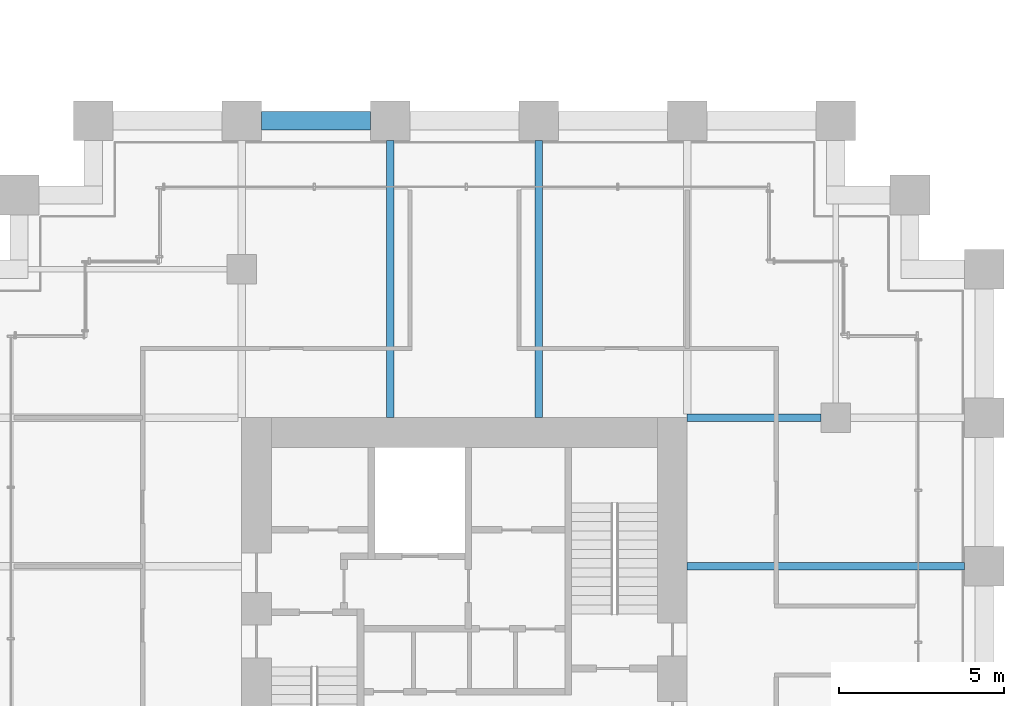
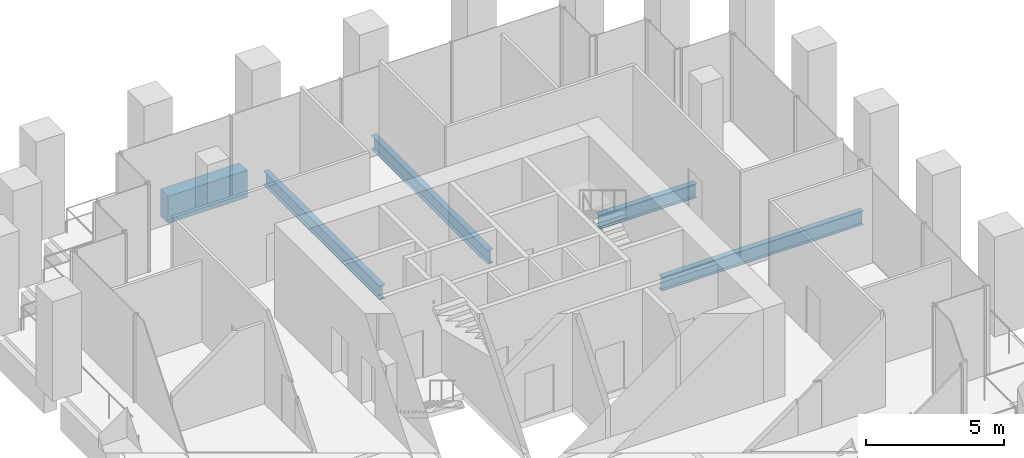
# One storey, part 24 of 36: 5 beams.
"""IFC4 building model written with IfcOpenShell, lengths in metres."""

import ifcopenshell
import ifcopenshell.guid

model = None  # the IFC model being written
_history = None  # IfcOwnerHistory: only IFC2X3 demands one
_inside = {}  # id of a spatial element -> (the spatial element, [elements in it])
_under = {}  # id of a project, library or spatial element -> (it, [spatial elements below it])
_declared = {}  # id of a project -> (the project, [libraries it declares])
_typed = {}  # id of a type object -> (the type object, [elements of that type])
_made_of = {}  # id of a material, layer set ... -> (it, [elements and type objects made of it])


def new_model(schema):
    """Start an empty IFC model of exactly this schema.

    Asked for "IFC4X3", IfcOpenShell would pick the latest addendum, in which some entities
    have other attributes; the version numbers below select the first issue.
    IFC2X3 requires an IfcOwnerHistory on every rooted entity: one is made here for all.
    """
    global model, _history
    if schema == "IFC4X3":
        model = ifcopenshell.file(schema_version=(4, 3, 0, 0))
    else:
        model = ifcopenshell.file(schema=schema)
    _inside.clear()
    _under.clear()
    _declared.clear()
    _typed.clear()
    _made_of.clear()
    _history = None
    if model.schema == "IFC2X3":
        org = make("IfcOrganization", Name="unknown")
        user = make(
            "IfcPersonAndOrganization",
            ThePerson=make("IfcPerson", FamilyName="unknown"),
            TheOrganization=org,
        )
        app = make(
            "IfcApplication",
            ApplicationDeveloper=org,
            Version="unknown",
            ApplicationFullName="unknown",
            ApplicationIdentifier="unknown",
        )
        _history = make(
            "IfcOwnerHistory",
            OwningUser=user,
            OwningApplication=app,
            ChangeAction="ADDED",
            CreationDate=0,
        )
    return model


def make(cls, **values):
    """One entity of the class cls with the attributes given. An attribute that is None is left unset."""
    return model.create_entity(
        cls, **{name: value for name, value in values.items() if value is not None}
    )


def rooted(cls, **values):
    """An entity with a GlobalId (a new one), such as an element, a storey or a relation."""
    return make(cls, GlobalId=ifcopenshell.guid.new(), OwnerHistory=_history, **values)


def si_unit(unit_type, name, prefix=None):
    """IfcSIUnit, for example si_unit("LENGTHUNIT", "METRE", prefix="MILLI")."""
    return make("IfcSIUnit", UnitType=unit_type, Prefix=prefix, Name=name)


def assignment(units):
    """IfcUnitAssignment: the units of a project."""
    return None if units is None else make("IfcUnitAssignment", Units=units)


def point(xyz):
    """IfcCartesianPoint."""
    return None if xyz is None else make("IfcCartesianPoint", Coordinates=xyz)


def direction(xyz):
    """IfcDirection."""
    return None if xyz is None else make("IfcDirection", DirectionRatios=xyz)


def frame(location, z_axis=None, x_axis=None):
    """IfcAxis2Placement3D, a coordinate frame: its origin and axes. An axis left out is left unset."""
    return make(
        "IfcAxis2Placement3D",
        Location=point(location),
        Axis=direction(z_axis),
        RefDirection=direction(x_axis),
    )


def frame_2d(location, x_axis=None):
    """IfcAxis2Placement2D, a coordinate frame in the plane: its origin and x axis."""
    return make(
        "IfcAxis2Placement2D", Location=point(location), RefDirection=direction(x_axis)
    )


def origin():
    """The frame at (0, 0, 0) with its axes left unset."""
    return frame((0.0, 0.0, 0.0))


def origin_2d():
    """The frame at (0, 0) in the plane with its x axis left unset."""
    return frame_2d((0.0, 0.0))


def place(relative_to, where):
    """IfcLocalPlacement: puts the frame where relative to a parent placement (None: the world)."""
    return make(
        "IfcLocalPlacement", PlacementRelTo=relative_to, RelativePlacement=where
    )


def context(
    kind, dimensions, precision=None, world=None, true_north=None, identifier=None
):
    """IfcGeometricRepresentationContext, for example the 3D "Model" context."""
    return make(
        "IfcGeometricRepresentationContext",
        ContextIdentifier=identifier,
        ContextType=kind,
        CoordinateSpaceDimension=dimensions,
        Precision=precision,
        WorldCoordinateSystem=world,
        TrueNorth=true_north,
    )


def subcontext(parent, identifier, kind, view, scale=None):
    """IfcGeometricRepresentationSubContext, for example "Body" below "Model"."""
    return make(
        "IfcGeometricRepresentationSubContext",
        ContextIdentifier=identifier,
        ContextType=kind,
        ParentContext=parent,
        TargetScale=scale,
        TargetView=view,
    )


def project(units=None, contexts=None):
    """IfcProject with its units and contexts."""
    return rooted(
        "IfcProject",
        Name="project",
        RepresentationContexts=contexts,
        UnitsInContext=assignment(units),
    )


def spatial(cls, under=None, at=None, **own):
    """A site, building, storey or space (cls), placed at a placement, below another one or the project."""
    s = rooted(cls, ObjectPlacement=at, **own)
    if under is not None:
        _under.setdefault(under.id(), (under, []))[1].append(s)
    return s


def profile(cls, at=None, kind="AREA", **sizes):
    """A parametric profile (cls). Its sizes go by their IFC names, for example OverallWidth=200.0."""
    return make(cls, ProfileType=kind, Position=at, **sizes)


def rectangle(**sizes):
    """IfcRectangleProfileDef."""
    return profile("IfcRectangleProfileDef", **sizes)


def i_section(**sizes):
    """IfcIShapeProfileDef."""
    return profile("IfcIShapeProfileDef", **sizes)


def extrude(swept, where, along, depth):
    """IfcExtrudedAreaSolid: the profile swept, set in the frame where, extruded along a direction by depth."""
    return make(
        "IfcExtrudedAreaSolid",
        SweptArea=swept,
        Position=where,
        ExtrudedDirection=direction(along),
        Depth=depth,
    )


def shape(context_of_items, identifier, shape_type, items):
    """IfcShapeRepresentation: the items that make up one representation, for example the "Body"."""
    return make(
        "IfcShapeRepresentation",
        ContextOfItems=context_of_items,
        RepresentationIdentifier=identifier,
        RepresentationType=shape_type,
        Items=items,
    )


def material(Name=None, Category=None):
    """IfcMaterial."""
    return make("IfcMaterial", Name=Name, Category=Category)


def material_profile(
    of_material, cross_section, Name=None, Category=None, Priority=None
):
    """IfcMaterialProfile: a cross section and its material."""
    return make(
        "IfcMaterialProfile",
        Name=Name,
        Material=of_material,
        Profile=cross_section,
        Priority=Priority,
        Category=Category,
    )


def profile_set(profiles, Name=None, composite=None):
    """IfcMaterialProfileSet."""
    return make(
        "IfcMaterialProfileSet",
        Name=Name,
        MaterialProfiles=profiles,
        CompositeProfile=composite,
    )


def made_of(thing, what):
    """Note that an element or type object is made of a material, layer set ...; save() writes the relation."""
    if what is not None:
        _made_of.setdefault(what.id(), (what, []))[1].append(thing)
    return thing


def type_object(cls, material=None, **own):
    """A type object (cls), such as IfcWallType, which elements share."""
    return made_of(rooted(cls, **own), material)


def element(
    cls,
    number,
    at=None,
    inside=None,
    cuts=None,
    type_object=None,
    material=None,
    context=None,
    identifier="Body",
    shape_type=None,
    held_by="IfcProductDefinitionShape",
    body=None,
    shapes=None,
    **own,
):
    """One element of the class cls, such as IfcWall. Its Tag is "e" and its number.

    at: its placement. inside: the storey or other place that contains it. cuts: it is an
    opening in that element (IfcRelVoidsElement). A single representation is given by context,
    identifier, shape_type and body (its items); several are given by shapes. held_by: the class
    of the entity that holds the representations. save() writes the other relations.
    """
    e = rooted(cls, Tag="e%d" % number, ObjectPlacement=at, **own)
    if body is not None:
        shapes = [shape(context, identifier, shape_type, body)]
    if shapes is not None:
        e.Representation = make(held_by, Representations=shapes)
    if inside is not None:
        _inside.setdefault(inside.id(), (inside, []))[1].append(e)
    if cuts is not None:
        rooted(
            "IfcRelVoidsElement", RelatingBuildingElement=cuts, RelatedOpeningElement=e
        )
    if type_object is not None:
        _typed.setdefault(type_object.id(), (type_object, []))[1].append(e)
    return made_of(e, material)


def aggregate(whole, parts):
    """IfcRelAggregates: a whole, such as a stair, and the parts it consists of."""
    return rooted("IfcRelAggregates", RelatingObject=whole, RelatedObjects=parts)


def save(model, path):
    """Write the relations noted so far, then the file.

    IfcRelAggregates (storeys below a building ...), IfcRelContainedInSpatialStructure (elements
    in a storey), IfcRelDefinesByType, IfcRelAssociatesMaterial and IfcRelDeclares: one each for
    every whole, place, type object, material and project.
    """
    for whole, parts in _under.values():
        aggregate(whole, parts)
    for where, things in _inside.values():
        rooted(
            "IfcRelContainedInSpatialStructure",
            RelatedElements=things,
            RelatingStructure=where,
        )
    for kind, things in _typed.values():
        rooted("IfcRelDefinesByType", RelatedObjects=things, RelatingType=kind)
    for what, things in _made_of.values():
        rooted("IfcRelAssociatesMaterial", RelatedObjects=things, RelatingMaterial=what)
    for by, libraries in _declared.values():
        rooted("IfcRelDeclares", RelatingContext=by, RelatedDefinitions=libraries)
    model.write(path)


model = new_model("IFC4")

# Units and contexts
model_context = context("Model", 3, precision=1e-05, world=origin(), true_north=direction((0.0, 1.0)))
body_context = subcontext(model_context, "Body", "Model", "MODEL_VIEW")
ifc_project = project(units=[si_unit("LENGTHUNIT", "METRE"), si_unit("AREAUNIT", "SQUARE_METRE"), si_unit("VOLUMEUNIT", "CUBIC_METRE"), si_unit("PLANEANGLEUNIT", "RADIAN"), si_unit("MASSUNIT", "GRAM", prefix="KILO")], contexts=[model_context])

# Site, building, storey
site_placement = place(None, origin())
site = spatial("IfcSite", under=ifc_project, at=site_placement, CompositionType="ELEMENT")
building_placement = place(site_placement, origin())
building = spatial("IfcBuilding", under=site, at=building_placement, Name="Altepetl Exchange Towers", CompositionType="ELEMENT")
storey_placement = place(building_placement, frame((0.0, 0.0, 38.60009765625)))
storey = spatial("IfcBuildingStorey", under=building, at=storey_placement, Name="L08", CompositionType="ELEMENT", Elevation=38.60009765625)

# Beams
ifc_material_1 = material(Name="Steel S355", Category="steel")
ifc_material_profile_1 = material_profile(ifc_material_1, i_section(OverallWidth=0.22900390625, OverallDepth=0.612060546875, WebThickness=0.011962890625, FlangeThickness=0.01953125, at=origin_2d()), Name="W24X84")
ifc_profile_set_1 = profile_set([ifc_material_profile_1], Name="Steel S355")
beam_type_1 = type_object("IfcBeamType", Name="Floor beam W24X84", PredefinedType="BEAM", material=ifc_profile_set_1)
for number, where, z_axis, x_axis, name in (
    (1, (108.0, 49.5, -0.481201171875), (0.0, 1.0, 0.0), (-1.0, 0.0, 0.0), "bm:B:L08:000"),
    (2, (112.5, 49.5, -0.481201171875), (0.0, 1.0, 0.0), (-1.0, 0.0, 0.0), "bm:B:L08:001"),
    (3, (117.0, 45.0, -0.481201171875), (1.0, 0.0, 0.0), (0.0, 1.0, 0.0), "bm:B:L08:007"),
):
    element("IfcBeam", number, at=place(storey_placement, frame(where, z_axis=z_axis, x_axis=x_axis)), inside=storey, type_object=beam_type_1, Name=name, PredefinedType="BEAM", context=body_context, shape_type="SweptSolid", body=[
        extrude(i_section(OverallWidth=0.22900390625, OverallDepth=0.612060546875, WebThickness=0.011962890625, FlangeThickness=0.01953125, at=origin_2d()), origin(), (0.0, 0.0, 1.0), 8.39990234375),
    ])
ifc_material_profile_2 = material_profile(ifc_material_1, i_section(OverallWidth=0.22900390625, OverallDepth=0.623046875, WebThickness=0.013916015625, FlangeThickness=0.02490234375, at=origin_2d()), Name="W24X103")
ifc_profile_set_2 = profile_set([ifc_material_profile_2], Name="Steel S355")
beam_type_2 = type_object("IfcBeamType", Name="Girder W24X103", PredefinedType="BEAM", material=ifc_profile_set_2)
beam_1_placement = place(storey_placement, frame((117.0, 49.5, -0.486572265625), z_axis=(1.0, 0.0, 0.0), x_axis=(0.0, 1.0, 0.0)))
element("IfcBeam", 4, at=beam_1_placement, inside=storey, type_object=beam_type_2, Name="gd:B:L08:000", PredefinedType="BEAM", context=body_context, shape_type="SweptSolid", body=[
    extrude(i_section(OverallWidth=0.22900390625, OverallDepth=0.623046875, WebThickness=0.013916015625, FlangeThickness=0.02490234375, at=origin_2d()), origin(), (0.0, 0.0, 1.0), 4.050048828125),
])
ifc_material_2 = material(Name="Concrete C50/60 precast with cantera amarilla facing", Category="concrete")
ifc_material_profile_3 = material_profile(ifc_material_2, rectangle(XDim=0.550048828125, YDim=1.199951171875, at=origin_2d()), Name="550 x 1200")
ifc_profile_set_3 = profile_set([ifc_material_profile_3], Name="Concrete C50/60 precast with cantera amarilla facing")
beam_type_3 = type_object("IfcBeamType", Name="Spandrel beam 550x1200 cantera amarilla", PredefinedType="SPANDREL", material=ifc_profile_set_3)
beam_2_placement = place(storey_placement, frame((107.39990234375, 58.5, -0.775146484375), z_axis=(-1.0, 0.0, 0.0), x_axis=(0.0, -1.0, 0.0)))
element("IfcBeam", 5, at=beam_2_placement, inside=storey, type_object=beam_type_3, Name="sp:B:L08:021", PredefinedType="SPANDREL", context=body_context, shape_type="SweptSolid", body=[
    extrude(rectangle(XDim=0.550048828125, YDim=1.199951171875, at=origin_2d()), origin(), (0.0, 0.0, 1.0), 3.2998046875),
])

save(model, "model.ifc")
